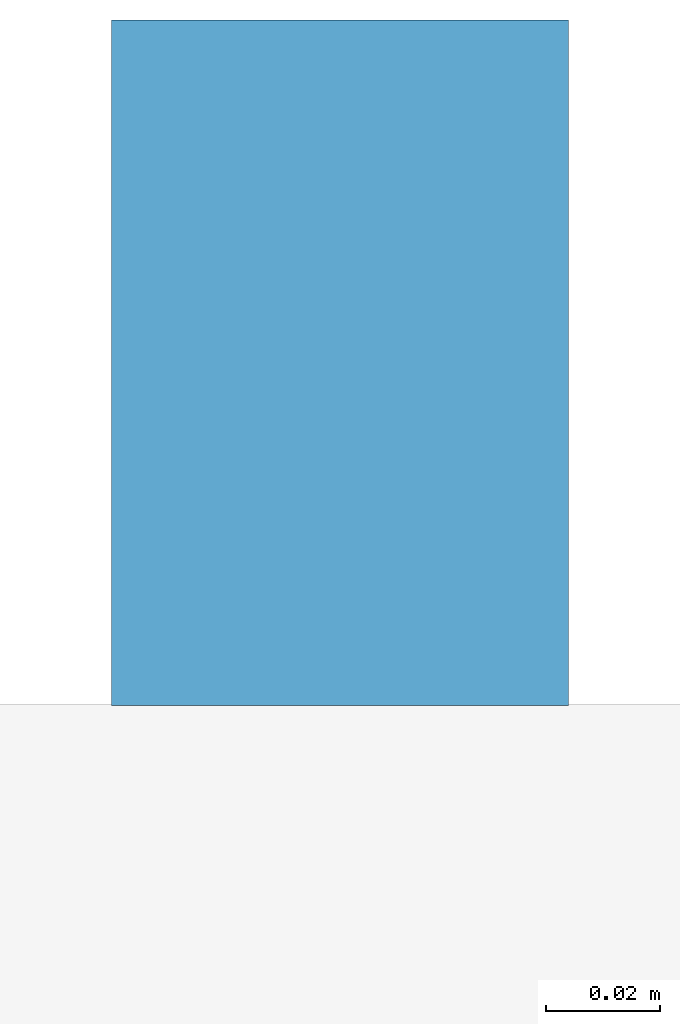
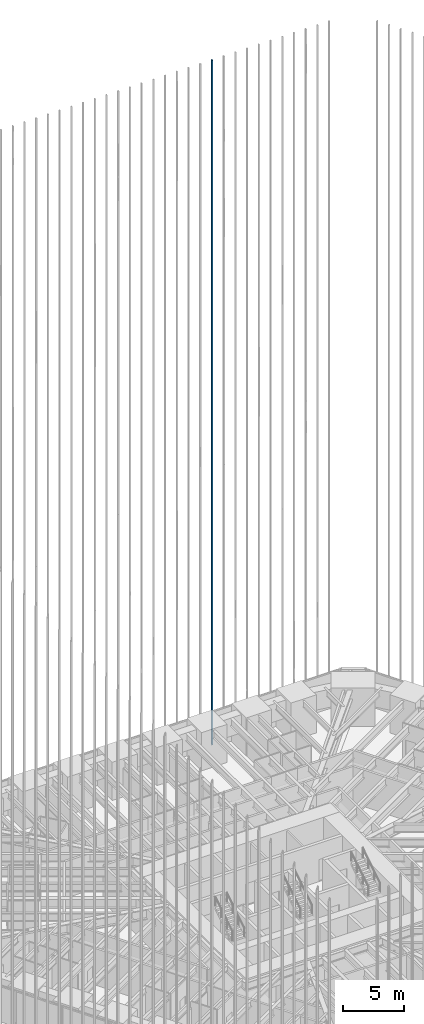
# One storey, part 222 of 256: 1 member, 1 element without a shape of its own.
"""IFC4 building model written with IfcOpenShell, lengths in metres."""

import ifcopenshell
import ifcopenshell.guid

model = None  # the IFC model being written
_history = None  # IfcOwnerHistory: only IFC2X3 demands one
_inside = {}  # id of a spatial element -> (the spatial element, [elements in it])
_under = {}  # id of a project, library or spatial element -> (it, [spatial elements below it])
_declared = {}  # id of a project -> (the project, [libraries it declares])
_typed = {}  # id of a type object -> (the type object, [elements of that type])
_made_of = {}  # id of a material, layer set ... -> (it, [elements and type objects made of it])


def new_model(schema):
    """Start an empty IFC model of exactly this schema.

    Asked for "IFC4X3", IfcOpenShell would pick the latest addendum, in which some entities
    have other attributes; the version numbers below select the first issue.
    IFC2X3 requires an IfcOwnerHistory on every rooted entity: one is made here for all.
    """
    global model, _history
    if schema == "IFC4X3":
        model = ifcopenshell.file(schema_version=(4, 3, 0, 0))
    else:
        model = ifcopenshell.file(schema=schema)
    _inside.clear()
    _under.clear()
    _declared.clear()
    _typed.clear()
    _made_of.clear()
    _history = None
    if model.schema == "IFC2X3":
        org = make("IfcOrganization", Name="unknown")
        user = make(
            "IfcPersonAndOrganization",
            ThePerson=make("IfcPerson", FamilyName="unknown"),
            TheOrganization=org,
        )
        app = make(
            "IfcApplication",
            ApplicationDeveloper=org,
            Version="unknown",
            ApplicationFullName="unknown",
            ApplicationIdentifier="unknown",
        )
        _history = make(
            "IfcOwnerHistory",
            OwningUser=user,
            OwningApplication=app,
            ChangeAction="ADDED",
            CreationDate=0,
        )
    return model


def make(cls, **values):
    """One entity of the class cls with the attributes given. An attribute that is None is left unset."""
    return model.create_entity(
        cls, **{name: value for name, value in values.items() if value is not None}
    )


def rooted(cls, **values):
    """An entity with a GlobalId (a new one), such as an element, a storey or a relation."""
    return make(cls, GlobalId=ifcopenshell.guid.new(), OwnerHistory=_history, **values)


def si_unit(unit_type, name, prefix=None):
    """IfcSIUnit, for example si_unit("LENGTHUNIT", "METRE", prefix="MILLI")."""
    return make("IfcSIUnit", UnitType=unit_type, Prefix=prefix, Name=name)


def assignment(units):
    """IfcUnitAssignment: the units of a project."""
    return None if units is None else make("IfcUnitAssignment", Units=units)


def point(xyz):
    """IfcCartesianPoint."""
    return None if xyz is None else make("IfcCartesianPoint", Coordinates=xyz)


def direction(xyz):
    """IfcDirection."""
    return None if xyz is None else make("IfcDirection", DirectionRatios=xyz)


def frame(location, z_axis=None, x_axis=None):
    """IfcAxis2Placement3D, a coordinate frame: its origin and axes. An axis left out is left unset."""
    return make(
        "IfcAxis2Placement3D",
        Location=point(location),
        Axis=direction(z_axis),
        RefDirection=direction(x_axis),
    )


def frame_2d(location, x_axis=None):
    """IfcAxis2Placement2D, a coordinate frame in the plane: its origin and x axis."""
    return make(
        "IfcAxis2Placement2D", Location=point(location), RefDirection=direction(x_axis)
    )


def origin():
    """The frame at (0, 0, 0) with its axes left unset."""
    return frame((0.0, 0.0, 0.0))


def origin_2d():
    """The frame at (0, 0) in the plane with its x axis left unset."""
    return frame_2d((0.0, 0.0))


def place(relative_to, where):
    """IfcLocalPlacement: puts the frame where relative to a parent placement (None: the world)."""
    return make(
        "IfcLocalPlacement", PlacementRelTo=relative_to, RelativePlacement=where
    )


def context(
    kind, dimensions, precision=None, world=None, true_north=None, identifier=None
):
    """IfcGeometricRepresentationContext, for example the 3D "Model" context."""
    return make(
        "IfcGeometricRepresentationContext",
        ContextIdentifier=identifier,
        ContextType=kind,
        CoordinateSpaceDimension=dimensions,
        Precision=precision,
        WorldCoordinateSystem=world,
        TrueNorth=true_north,
    )


def subcontext(parent, identifier, kind, view, scale=None):
    """IfcGeometricRepresentationSubContext, for example "Body" below "Model"."""
    return make(
        "IfcGeometricRepresentationSubContext",
        ContextIdentifier=identifier,
        ContextType=kind,
        ParentContext=parent,
        TargetScale=scale,
        TargetView=view,
    )


def project(units=None, contexts=None):
    """IfcProject with its units and contexts."""
    return rooted(
        "IfcProject",
        Name="project",
        RepresentationContexts=contexts,
        UnitsInContext=assignment(units),
    )


def spatial(cls, under=None, at=None, **own):
    """A site, building, storey or space (cls), placed at a placement, below another one or the project."""
    s = rooted(cls, ObjectPlacement=at, **own)
    if under is not None:
        _under.setdefault(under.id(), (under, []))[1].append(s)
    return s


def profile(cls, at=None, kind="AREA", **sizes):
    """A parametric profile (cls). Its sizes go by their IFC names, for example OverallWidth=200.0."""
    return make(cls, ProfileType=kind, Position=at, **sizes)


def rectangle(**sizes):
    """IfcRectangleProfileDef."""
    return profile("IfcRectangleProfileDef", **sizes)


def extrude(swept, where, along, depth):
    """IfcExtrudedAreaSolid: the profile swept, set in the frame where, extruded along a direction by depth."""
    return make(
        "IfcExtrudedAreaSolid",
        SweptArea=swept,
        Position=where,
        ExtrudedDirection=direction(along),
        Depth=depth,
    )


def shape(context_of_items, identifier, shape_type, items):
    """IfcShapeRepresentation: the items that make up one representation, for example the "Body"."""
    return make(
        "IfcShapeRepresentation",
        ContextOfItems=context_of_items,
        RepresentationIdentifier=identifier,
        RepresentationType=shape_type,
        Items=items,
    )


def material(Name=None, Category=None):
    """IfcMaterial."""
    return make("IfcMaterial", Name=Name, Category=Category)


def material_profile(
    of_material, cross_section, Name=None, Category=None, Priority=None
):
    """IfcMaterialProfile: a cross section and its material."""
    return make(
        "IfcMaterialProfile",
        Name=Name,
        Material=of_material,
        Profile=cross_section,
        Priority=Priority,
        Category=Category,
    )


def profile_set(profiles, Name=None, composite=None):
    """IfcMaterialProfileSet."""
    return make(
        "IfcMaterialProfileSet",
        Name=Name,
        MaterialProfiles=profiles,
        CompositeProfile=composite,
    )


def made_of(thing, what):
    """Note that an element or type object is made of a material, layer set ...; save() writes the relation."""
    if what is not None:
        _made_of.setdefault(what.id(), (what, []))[1].append(thing)
    return thing


def type_object(cls, material=None, **own):
    """A type object (cls), such as IfcWallType, which elements share."""
    return made_of(rooted(cls, **own), material)


def element(
    cls,
    number,
    at=None,
    inside=None,
    cuts=None,
    type_object=None,
    material=None,
    context=None,
    identifier="Body",
    shape_type=None,
    held_by="IfcProductDefinitionShape",
    body=None,
    shapes=None,
    **own,
):
    """One element of the class cls, such as IfcWall. Its Tag is "e" and its number.

    at: its placement. inside: the storey or other place that contains it. cuts: it is an
    opening in that element (IfcRelVoidsElement). A single representation is given by context,
    identifier, shape_type and body (its items); several are given by shapes. held_by: the class
    of the entity that holds the representations. save() writes the other relations.
    """
    e = rooted(cls, Tag="e%d" % number, ObjectPlacement=at, **own)
    if body is not None:
        shapes = [shape(context, identifier, shape_type, body)]
    if shapes is not None:
        e.Representation = make(held_by, Representations=shapes)
    if inside is not None:
        _inside.setdefault(inside.id(), (inside, []))[1].append(e)
    if cuts is not None:
        rooted(
            "IfcRelVoidsElement", RelatingBuildingElement=cuts, RelatedOpeningElement=e
        )
    if type_object is not None:
        _typed.setdefault(type_object.id(), (type_object, []))[1].append(e)
    return made_of(e, material)


def aggregate(whole, parts):
    """IfcRelAggregates: a whole, such as a stair, and the parts it consists of."""
    return rooted("IfcRelAggregates", RelatingObject=whole, RelatedObjects=parts)


def save(model, path):
    """Write the relations noted so far, then the file.

    IfcRelAggregates (storeys below a building ...), IfcRelContainedInSpatialStructure (elements
    in a storey), IfcRelDefinesByType, IfcRelAssociatesMaterial and IfcRelDeclares: one each for
    every whole, place, type object, material and project.
    """
    for whole, parts in _under.values():
        aggregate(whole, parts)
    for where, things in _inside.values():
        rooted(
            "IfcRelContainedInSpatialStructure",
            RelatedElements=things,
            RelatingStructure=where,
        )
    for kind, things in _typed.values():
        rooted("IfcRelDefinesByType", RelatedObjects=things, RelatingType=kind)
    for what, things in _made_of.values():
        rooted("IfcRelAssociatesMaterial", RelatedObjects=things, RelatingMaterial=what)
    for by, libraries in _declared.values():
        rooted("IfcRelDeclares", RelatingContext=by, RelatedDefinitions=libraries)
    model.write(path)


model = new_model("IFC4")

# Units and contexts
model_context = context("Model", 3, precision=1e-05, world=origin(), true_north=direction((0.0, 1.0)))
body_context = subcontext(model_context, "Body", "Model", "MODEL_VIEW")
ifc_project = project(units=[si_unit("LENGTHUNIT", "METRE"), si_unit("AREAUNIT", "SQUARE_METRE"), si_unit("VOLUMEUNIT", "CUBIC_METRE"), si_unit("PLANEANGLEUNIT", "RADIAN"), si_unit("MASSUNIT", "GRAM", prefix="KILO")], contexts=[model_context])

# Site, building, storey
site_placement = place(None, origin())
site = spatial("IfcSite", under=ifc_project, at=site_placement, CompositionType="ELEMENT")
building_placement = place(site_placement, origin())
building = spatial("IfcBuilding", under=site, at=building_placement, Name="Sandreach Pilgrim Tower", CompositionType="ELEMENT")
storey_placement = place(building_placement, frame((0.0, 0.0, 23.0)))
storey = spatial("IfcBuildingStorey", under=building, at=storey_placement, Name="L04", CompositionType="ELEMENT", Elevation=23.0)

# Curtain wall, member
ifc_material_1 = material(Name="Aluminium framed curtain wall", Category="aluminium")
curtain_wall_type = type_object("IfcCurtainWallType", Name="Hostel tower curtain wall", PredefinedType="NOTDEFINED", material=ifc_material_1)
curtain_wall_placement = place(storey_placement, origin())
curtain_wall = element("IfcCurtainWall", 1, at=curtain_wall_placement, inside=storey, type_object=curtain_wall_type, Name="CW-1 L04 N", PredefinedType="NOTDEFINED")
ifc_material_2 = material(Name="Extruded terracotta on aluminium core", Category="masonry")
ifc_material_profile = material_profile(ifc_material_2, rectangle(XDim=0.080078125, YDim=0.1201171875, at=origin_2d()), Name="TBN 80X120")
ifc_profile_set = profile_set([ifc_material_profile], Name="Extruded terracotta on aluminium core")
member_type = type_object("IfcMemberType", Name="Terracotta baguette north", PredefinedType="USERDEFINED", material=ifc_profile_set)
member_placement = place(storey_placement, frame((7.731201171875, 24.30859375, 0.0), z_axis=(0.0, 0.0, 1.0), x_axis=(1.0, 0.0, 0.0)))
member = element("IfcMember", 2, at=member_placement, type_object=member_type, Name="Baguette Z1 N25", ObjectType="BAGUETTE", PredefinedType="USERDEFINED", context=body_context, shape_type="SweptSolid", body=[
    extrude(rectangle(XDim=0.080078125, YDim=0.1201171875, at=origin_2d()), origin(), (0.0, 0.0, 1.0), 68.239990234375),
])
aggregate(curtain_wall, [member])

save(model, "model.ifc")
